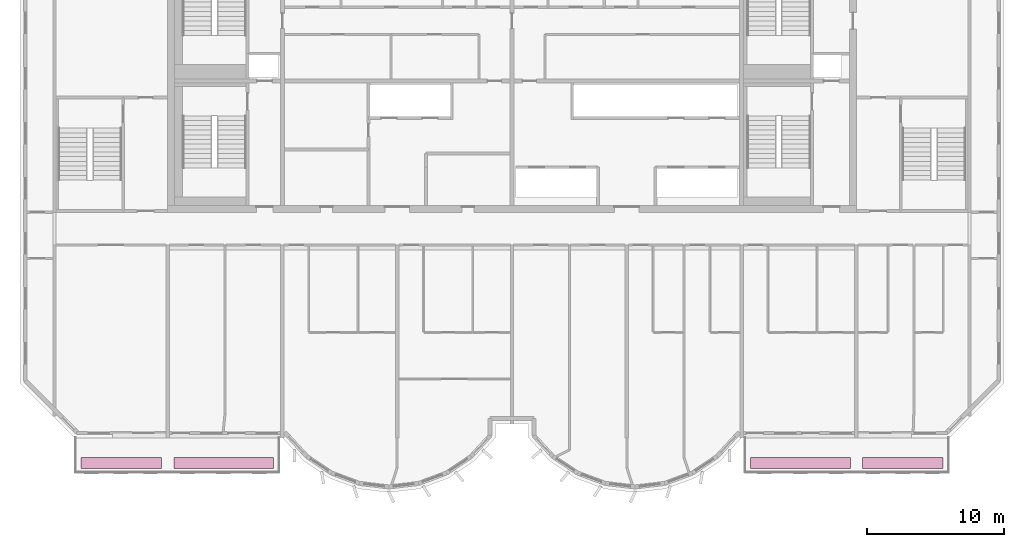
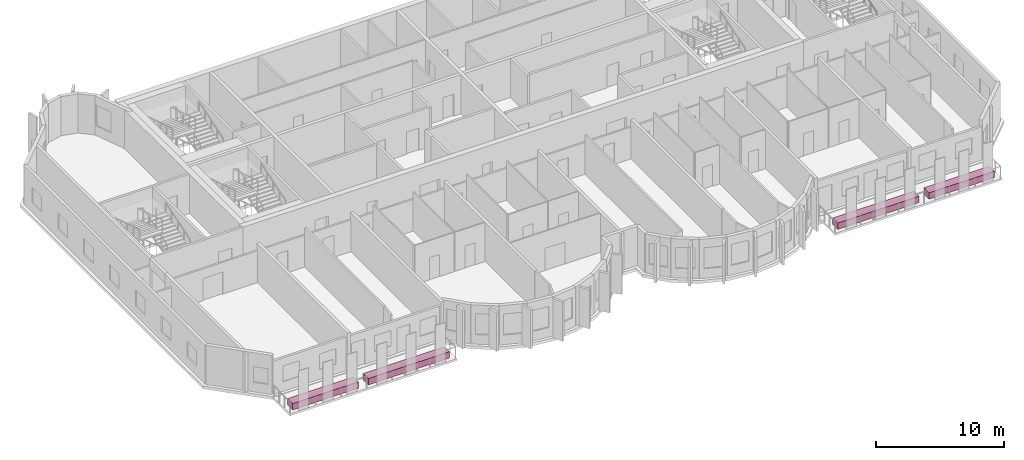
# One storey, part 12 of 12: 4 furniture elements.
"""IFC4 building model written with IfcOpenShell, lengths in metres."""

from ifc_helpers import new_model, si_unit, direction, frame, origin, origin_2d, place, context, subcontext, project, spatial, rectangle, extrude, source, transform, mapped, material, type_object, element, save


model = new_model("IFC4")

# Units and contexts
model_context = context("Model", 3, precision=1e-05, world=origin(), true_north=direction((0.0, 1.0)))
body_context = subcontext(model_context, "Body", "Model", "MODEL_VIEW")
ifc_project = project(units=[si_unit("LENGTHUNIT", "METRE"), si_unit("AREAUNIT", "SQUARE_METRE"), si_unit("VOLUMEUNIT", "CUBIC_METRE"), si_unit("PLANEANGLEUNIT", "RADIAN"), si_unit("MASSUNIT", "GRAM", prefix="KILO")], contexts=[model_context])

# Site, building, storey
site_placement = place(None, origin())
site = spatial("IfcSite", under=ifc_project, at=site_placement, CompositionType="ELEMENT")
building_placement = place(site_placement, origin())
building = spatial("IfcBuilding", under=site, at=building_placement, Name="Vanashikhar Sky Hotel", CompositionType="ELEMENT")
storey_placement = place(building_placement, frame((0.0, 0.0, 309.699951171875)))
storey = spatial("IfcBuildingStorey", under=building, at=storey_placement, Name="L74", CompositionType="ELEMENT", Elevation=309.699951171875)

# Furniture
ifc_material = material(Name="Planting soil and shrubs")
furniture_type = type_object("IfcFurnitureType", Name="Planter trough", AssemblyPlace="NOTDEFINED", PredefinedType="USERDEFINED", material=ifc_material)
shared_shape_1 = source(origin(), body_context, "Body", "SweptSolid", [
    extrude(rectangle(XDim=7.300048828125, YDim=0.800048828125, at=origin_2d()), origin(), (0.0, 0.0, 1.0), 0.60009765625),
])
for number, where, z_axis, x_axis, name in (
    (1, (29.300048828125, 3.64990234375, -0.050048828125), (0.0, 0.0, 1.0), (1.0, 0.0, 0.0), "PLANTER with climbers"),
    (2, (71.5, 3.64990234375, -0.050048828125), (0.0, 0.0, 1.0), (1.0, 0.0, 0.0), "PLANTER with climbers"),
):
    element("IfcFurniture", number, at=place(storey_placement, frame(where, z_axis=z_axis, x_axis=x_axis)), inside=storey, type_object=furniture_type, Name=name, ObjectType="PLANTER", PredefinedType="USERDEFINED", context=body_context, shape_type="MappedRepresentation", body=[
        mapped(shared_shape_1, transform((0.0, 0.0, 0.0), scale=1.0)),
    ])
shared_shape_2 = source(origin(), body_context, "Body", "SweptSolid", [
    extrude(rectangle(XDim=5.89990234375, YDim=0.800048828125, at=origin_2d()), origin(), (0.0, 0.0, 1.0), 0.60009765625),
])
for number, where, z_axis, x_axis, name in (
    (3, (21.800048828125, 3.64990234375, -0.050048828125), (0.0, 0.0, 1.0), (1.0, 0.0, 0.0), "PLANTER with climbers"),
    (4, (79.0, 3.64990234375, -0.050048828125), (0.0, 0.0, 1.0), (1.0, 0.0, 0.0), "PLANTER with climbers"),
):
    element("IfcFurniture", number, at=place(storey_placement, frame(where, z_axis=z_axis, x_axis=x_axis)), inside=storey, type_object=furniture_type, Name=name, ObjectType="PLANTER", PredefinedType="USERDEFINED", context=body_context, shape_type="MappedRepresentation", body=[
        mapped(shared_shape_2, transform((0.0, 0.0, 0.0), scale=1.0)),
    ])

save(model, "model.ifc")
